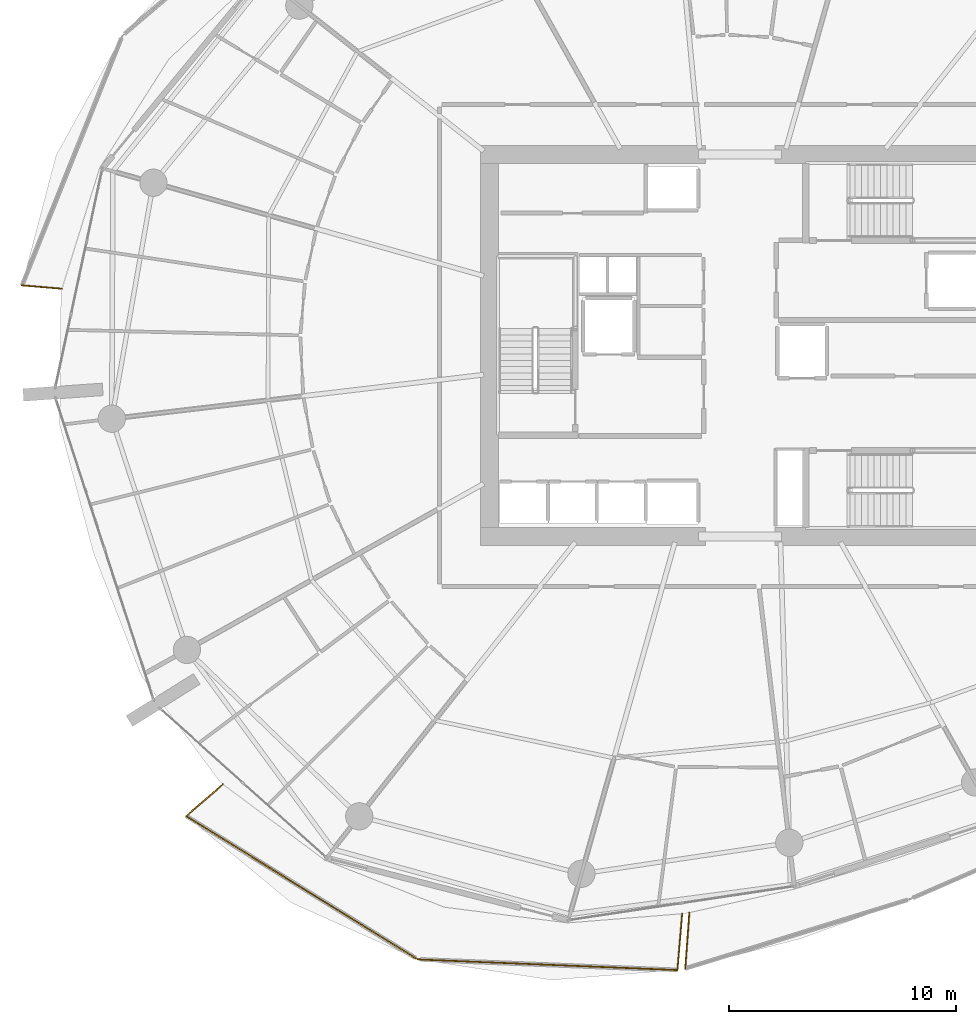
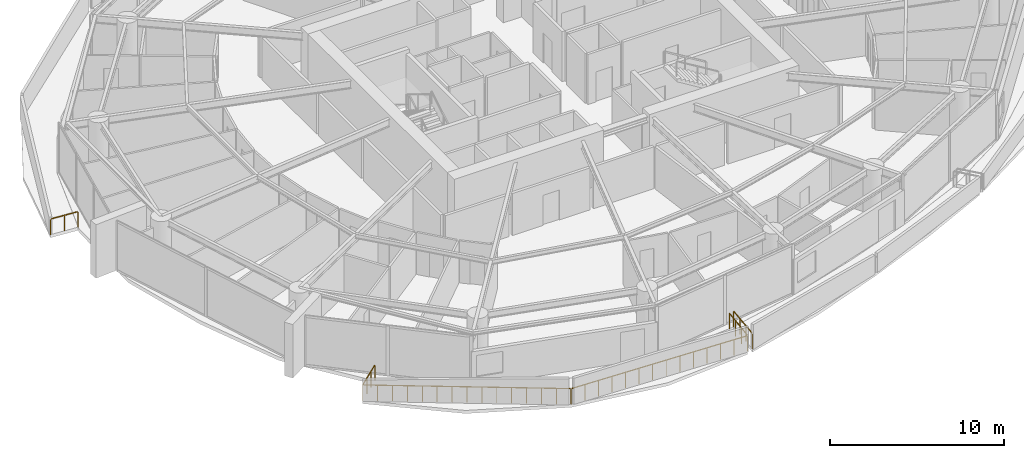
# One storey, part 17 of 23: 6 railings.
"""IFC4 building model written with IfcOpenShell, lengths in metres."""

import ifcopenshell
import ifcopenshell.guid

model = None  # the IFC model being written
_history = None  # IfcOwnerHistory: only IFC2X3 demands one
_inside = {}  # id of a spatial element -> (the spatial element, [elements in it])
_under = {}  # id of a project, library or spatial element -> (it, [spatial elements below it])
_declared = {}  # id of a project -> (the project, [libraries it declares])
_typed = {}  # id of a type object -> (the type object, [elements of that type])
_made_of = {}  # id of a material, layer set ... -> (it, [elements and type objects made of it])


def new_model(schema):
    """Start an empty IFC model of exactly this schema.

    Asked for "IFC4X3", IfcOpenShell would pick the latest addendum, in which some entities
    have other attributes; the version numbers below select the first issue.
    IFC2X3 requires an IfcOwnerHistory on every rooted entity: one is made here for all.
    """
    global model, _history
    if schema == "IFC4X3":
        model = ifcopenshell.file(schema_version=(4, 3, 0, 0))
    else:
        model = ifcopenshell.file(schema=schema)
    _inside.clear()
    _under.clear()
    _declared.clear()
    _typed.clear()
    _made_of.clear()
    _history = None
    if model.schema == "IFC2X3":
        org = make("IfcOrganization", Name="unknown")
        user = make(
            "IfcPersonAndOrganization",
            ThePerson=make("IfcPerson", FamilyName="unknown"),
            TheOrganization=org,
        )
        app = make(
            "IfcApplication",
            ApplicationDeveloper=org,
            Version="unknown",
            ApplicationFullName="unknown",
            ApplicationIdentifier="unknown",
        )
        _history = make(
            "IfcOwnerHistory",
            OwningUser=user,
            OwningApplication=app,
            ChangeAction="ADDED",
            CreationDate=0,
        )
    return model


def make(cls, **values):
    """One entity of the class cls with the attributes given. An attribute that is None is left unset."""
    return model.create_entity(
        cls, **{name: value for name, value in values.items() if value is not None}
    )


def rooted(cls, **values):
    """An entity with a GlobalId (a new one), such as an element, a storey or a relation."""
    return make(cls, GlobalId=ifcopenshell.guid.new(), OwnerHistory=_history, **values)


def si_unit(unit_type, name, prefix=None):
    """IfcSIUnit, for example si_unit("LENGTHUNIT", "METRE", prefix="MILLI")."""
    return make("IfcSIUnit", UnitType=unit_type, Prefix=prefix, Name=name)


def assignment(units):
    """IfcUnitAssignment: the units of a project."""
    return None if units is None else make("IfcUnitAssignment", Units=units)


def point(xyz):
    """IfcCartesianPoint."""
    return None if xyz is None else make("IfcCartesianPoint", Coordinates=xyz)


def direction(xyz):
    """IfcDirection."""
    return None if xyz is None else make("IfcDirection", DirectionRatios=xyz)


def frame(location, z_axis=None, x_axis=None):
    """IfcAxis2Placement3D, a coordinate frame: its origin and axes. An axis left out is left unset."""
    return make(
        "IfcAxis2Placement3D",
        Location=point(location),
        Axis=direction(z_axis),
        RefDirection=direction(x_axis),
    )


def frame_2d(location, x_axis=None):
    """IfcAxis2Placement2D, a coordinate frame in the plane: its origin and x axis."""
    return make(
        "IfcAxis2Placement2D", Location=point(location), RefDirection=direction(x_axis)
    )


def origin():
    """The frame at (0, 0, 0) with its axes left unset."""
    return frame((0.0, 0.0, 0.0))


def origin_2d():
    """The frame at (0, 0) in the plane with its x axis left unset."""
    return frame_2d((0.0, 0.0))


def place(relative_to, where):
    """IfcLocalPlacement: puts the frame where relative to a parent placement (None: the world)."""
    return make(
        "IfcLocalPlacement", PlacementRelTo=relative_to, RelativePlacement=where
    )


def context(
    kind, dimensions, precision=None, world=None, true_north=None, identifier=None
):
    """IfcGeometricRepresentationContext, for example the 3D "Model" context."""
    return make(
        "IfcGeometricRepresentationContext",
        ContextIdentifier=identifier,
        ContextType=kind,
        CoordinateSpaceDimension=dimensions,
        Precision=precision,
        WorldCoordinateSystem=world,
        TrueNorth=true_north,
    )


def subcontext(parent, identifier, kind, view, scale=None):
    """IfcGeometricRepresentationSubContext, for example "Body" below "Model"."""
    return make(
        "IfcGeometricRepresentationSubContext",
        ContextIdentifier=identifier,
        ContextType=kind,
        ParentContext=parent,
        TargetScale=scale,
        TargetView=view,
    )


def project(units=None, contexts=None):
    """IfcProject with its units and contexts."""
    return rooted(
        "IfcProject",
        Name="project",
        RepresentationContexts=contexts,
        UnitsInContext=assignment(units),
    )


def spatial(cls, under=None, at=None, **own):
    """A site, building, storey or space (cls), placed at a placement, below another one or the project."""
    s = rooted(cls, ObjectPlacement=at, **own)
    if under is not None:
        _under.setdefault(under.id(), (under, []))[1].append(s)
    return s


def profile(cls, at=None, kind="AREA", **sizes):
    """A parametric profile (cls). Its sizes go by their IFC names, for example OverallWidth=200.0."""
    return make(cls, ProfileType=kind, Position=at, **sizes)


def rectangle(**sizes):
    """IfcRectangleProfileDef."""
    return profile("IfcRectangleProfileDef", **sizes)


def extrude(swept, where, along, depth):
    """IfcExtrudedAreaSolid: the profile swept, set in the frame where, extruded along a direction by depth."""
    return make(
        "IfcExtrudedAreaSolid",
        SweptArea=swept,
        Position=where,
        ExtrudedDirection=direction(along),
        Depth=depth,
    )


def shape(context_of_items, identifier, shape_type, items):
    """IfcShapeRepresentation: the items that make up one representation, for example the "Body"."""
    return make(
        "IfcShapeRepresentation",
        ContextOfItems=context_of_items,
        RepresentationIdentifier=identifier,
        RepresentationType=shape_type,
        Items=items,
    )


def material(Name=None, Category=None):
    """IfcMaterial."""
    return make("IfcMaterial", Name=Name, Category=Category)


def made_of(thing, what):
    """Note that an element or type object is made of a material, layer set ...; save() writes the relation."""
    if what is not None:
        _made_of.setdefault(what.id(), (what, []))[1].append(thing)
    return thing


def type_object(cls, material=None, **own):
    """A type object (cls), such as IfcWallType, which elements share."""
    return made_of(rooted(cls, **own), material)


def element(
    cls,
    number,
    at=None,
    inside=None,
    cuts=None,
    type_object=None,
    material=None,
    context=None,
    identifier="Body",
    shape_type=None,
    held_by="IfcProductDefinitionShape",
    body=None,
    shapes=None,
    **own,
):
    """One element of the class cls, such as IfcWall. Its Tag is "e" and its number.

    at: its placement. inside: the storey or other place that contains it. cuts: it is an
    opening in that element (IfcRelVoidsElement). A single representation is given by context,
    identifier, shape_type and body (its items); several are given by shapes. held_by: the class
    of the entity that holds the representations. save() writes the other relations.
    """
    e = rooted(cls, Tag="e%d" % number, ObjectPlacement=at, **own)
    if body is not None:
        shapes = [shape(context, identifier, shape_type, body)]
    if shapes is not None:
        e.Representation = make(held_by, Representations=shapes)
    if inside is not None:
        _inside.setdefault(inside.id(), (inside, []))[1].append(e)
    if cuts is not None:
        rooted(
            "IfcRelVoidsElement", RelatingBuildingElement=cuts, RelatedOpeningElement=e
        )
    if type_object is not None:
        _typed.setdefault(type_object.id(), (type_object, []))[1].append(e)
    return made_of(e, material)


def aggregate(whole, parts):
    """IfcRelAggregates: a whole, such as a stair, and the parts it consists of."""
    return rooted("IfcRelAggregates", RelatingObject=whole, RelatedObjects=parts)


def save(model, path):
    """Write the relations noted so far, then the file.

    IfcRelAggregates (storeys below a building ...), IfcRelContainedInSpatialStructure (elements
    in a storey), IfcRelDefinesByType, IfcRelAssociatesMaterial and IfcRelDeclares: one each for
    every whole, place, type object, material and project.
    """
    for whole, parts in _under.values():
        aggregate(whole, parts)
    for where, things in _inside.values():
        rooted(
            "IfcRelContainedInSpatialStructure",
            RelatedElements=things,
            RelatingStructure=where,
        )
    for kind, things in _typed.values():
        rooted("IfcRelDefinesByType", RelatedObjects=things, RelatingType=kind)
    for what, things in _made_of.values():
        rooted("IfcRelAssociatesMaterial", RelatedObjects=things, RelatingMaterial=what)
    for by, libraries in _declared.values():
        rooted("IfcRelDeclares", RelatingContext=by, RelatedDefinitions=libraries)
    model.write(path)


model = new_model("IFC4")

# Units and contexts
model_context = context("Model", 3, precision=1e-05, world=origin(), true_north=direction((0.0, 1.0)))
body_context = subcontext(model_context, "Body", "Model", "MODEL_VIEW")
ifc_project = project(units=[si_unit("LENGTHUNIT", "METRE"), si_unit("AREAUNIT", "SQUARE_METRE"), si_unit("VOLUMEUNIT", "CUBIC_METRE"), si_unit("PLANEANGLEUNIT", "RADIAN"), si_unit("MASSUNIT", "GRAM", prefix="KILO")], contexts=[model_context])

# Site, building, storey
site_placement = place(None, origin())
site = spatial("IfcSite", under=ifc_project, at=site_placement, CompositionType="ELEMENT")
building_placement = place(site_placement, origin())
building = spatial("IfcBuilding", under=site, at=building_placement, Name="Kazma Halo Residences", CompositionType="ELEMENT")
storey_placement = place(building_placement, frame((0.0, 0.0, 82.64990234375)))
storey = spatial("IfcBuildingStorey", under=building, at=storey_placement, Name="L20", CompositionType="ELEMENT", Elevation=82.64990234375)

# Railings
ifc_material = material(Name="Aluminium AW-6063 T6 Brushed Cap Rail", Category="aluminium")
railing_type = type_object("IfcRailingType", Name="RLG-BAL-CAP-1120", PredefinedType="BALUSTRADE", material=ifc_material)
railing_1_placement = place(storey_placement, frame((16.84033203125, 44.643798828125, 0.0)))
element("IfcRailing", 1, at=railing_1_placement, inside=storey, type_object=railing_type, Name="L20 NW wave balcony guard 4", PredefinedType="BALUSTRADE", context=body_context, shape_type="SweptSolid", body=[
    extrude(rectangle(XDim=0.050048828125, YDim=0.050048828125, at=origin_2d()), frame((0.04248046875, -0.003662109375, 1.09521484375), z_axis=(0.996422166926, -0.08451547349, 0.0), x_axis=(0.08451547349, 0.996422166926, 0.0)), (0.0, 0.0, 1.0), 1.674072265625),
    extrude(rectangle(XDim=0.0400390625, YDim=0.0400390625, at=origin_2d()), origin(), (0.0, 0.0, 1.0), 1.05810546875),
    extrude(rectangle(XDim=0.0400390625, YDim=0.0400390625, at=origin_2d()), frame((0.87646484375, -0.07421875, 0.0)), (0.0, 0.0, 1.0), 1.05810546875),
    extrude(rectangle(XDim=0.0400390625, YDim=0.0400390625, at=origin_2d()), frame((1.7529296875, -0.148681640625, 0.0)), (0.0, 0.0, 1.0), 1.05810546875),
])
railing_2_placement = place(storey_placement, frame((25.676025390625, 22.696533203125, 0.0)))
element("IfcRailing", 2, at=railing_2_placement, inside=storey, type_object=railing_type, Name="L20 SW wave balcony guard 1", PredefinedType="BALUSTRADE", context=body_context, shape_type="SweptSolid", body=[
    extrude(rectangle(XDim=0.050048828125, YDim=0.050048828125, at=origin_2d()), frame((-0.0322265625, -0.02783203125, 1.09521484375), z_axis=(-0.756384633823, -0.654127117399, 0.0), x_axis=(0.654127117399, -0.756384633823, 0.0)), (0.0, 0.0, 1.0), 2.044677734375),
    extrude(rectangle(XDim=0.0400390625, YDim=0.0400390625, at=origin_2d()), origin(), (0.0, 0.0, 1.0), 1.05810546875),
    extrude(rectangle(XDim=0.0400390625, YDim=0.0400390625, at=origin_2d()), frame((-0.536865234375, -0.46435546875, 0.0)), (0.0, 0.0, 1.0), 1.05810546875),
    extrude(rectangle(XDim=0.0400390625, YDim=0.0400390625, at=origin_2d()), frame((-1.073974609375, -0.9287109375, 0.0)), (0.0, 0.0, 1.0), 1.05810546875),
    extrude(rectangle(XDim=0.0400390625, YDim=0.0400390625, at=origin_2d()), frame((-1.61083984375, -1.39306640625, 0.0)), (0.0, 0.0, 1.0), 1.05810546875),
])
railing_3_placement = place(storey_placement, frame((24.065185546875, 21.303466796875, 0.0)))
element("IfcRailing", 3, at=railing_3_placement, inside=storey, type_object=railing_type, Name="L20 SW wave balcony guard 2", PredefinedType="BALUSTRADE", context=body_context, shape_type="SweptSolid", body=[
    extrude(rectangle(XDim=0.050048828125, YDim=0.050048828125, at=origin_2d()), frame((0.0361328125, -0.0224609375, 1.09521484375), z_axis=(0.850139519216, -0.526557497209, 0.0), x_axis=(0.526557497209, 0.850139519216, 0.0)), (0.0, 0.0, 1.0), 11.886474609375),
    extrude(rectangle(XDim=0.0400390625, YDim=0.0400390625, at=origin_2d()), origin(), (0.0, 0.0, 1.0), 1.05810546875),
    extrude(rectangle(XDim=0.0400390625, YDim=0.0400390625, at=origin_2d()), frame((0.72705078125, -0.4501953125, 0.0)), (0.0, 0.0, 1.0), 1.05810546875),
    extrude(rectangle(XDim=0.0400390625, YDim=0.0400390625, at=origin_2d()), frame((1.453857421875, -0.900634765625, 0.0)), (0.0, 0.0, 1.0), 1.05810546875),
    extrude(rectangle(XDim=0.0400390625, YDim=0.0400390625, at=origin_2d()), frame((2.180908203125, -1.350830078125, 0.0)), (0.0, 0.0, 1.0), 1.05810546875),
    extrude(rectangle(XDim=0.0400390625, YDim=0.0400390625, at=origin_2d()), frame((2.907958984375, -1.801025390625, 0.0)), (0.0, 0.0, 1.0), 1.05810546875),
    extrude(rectangle(XDim=0.0400390625, YDim=0.0400390625, at=origin_2d()), frame((3.634765625, -2.251220703125, 0.0)), (0.0, 0.0, 1.0), 1.05810546875),
    extrude(rectangle(XDim=0.0400390625, YDim=0.0400390625, at=origin_2d()), frame((4.36181640625, -2.70166015625, 0.0)), (0.0, 0.0, 1.0), 1.05810546875),
    extrude(rectangle(XDim=0.0400390625, YDim=0.0400390625, at=origin_2d()), frame((5.0888671875, -3.15185546875, 0.0)), (0.0, 0.0, 1.0), 1.05810546875),
    extrude(rectangle(XDim=0.0400390625, YDim=0.0400390625, at=origin_2d()), frame((5.815673828125, -3.60205078125, 0.0)), (0.0, 0.0, 1.0), 1.05810546875),
    extrude(rectangle(XDim=0.0400390625, YDim=0.0400390625, at=origin_2d()), frame((6.542724609375, -4.052490234375, 0.0)), (0.0, 0.0, 1.0), 1.05810546875),
    extrude(rectangle(XDim=0.0400390625, YDim=0.0400390625, at=origin_2d()), frame((7.26953125, -4.502685546875, 0.0)), (0.0, 0.0, 1.0), 1.05810546875),
    extrude(rectangle(XDim=0.0400390625, YDim=0.0400390625, at=origin_2d()), frame((7.99658203125, -4.952880859375, 0.0)), (0.0, 0.0, 1.0), 1.05810546875),
    extrude(rectangle(XDim=0.0400390625, YDim=0.0400390625, at=origin_2d()), frame((8.7236328125, -5.403076171875, 0.0)), (0.0, 0.0, 1.0), 1.05810546875),
    extrude(rectangle(XDim=0.0400390625, YDim=0.0400390625, at=origin_2d()), frame((9.450439453125, -5.853515625, 0.0)), (0.0, 0.0, 1.0), 1.05810546875),
    extrude(rectangle(XDim=0.0400390625, YDim=0.0400390625, at=origin_2d()), frame((10.177490234375, -6.3037109375, 0.0)), (0.0, 0.0, 1.0), 1.05810546875),
])
railing_4_placement = place(storey_placement, frame((34.24267578125, 14.999755859375, 0.0)))
element("IfcRailing", 4, at=railing_4_placement, inside=storey, type_object=railing_type, Name="L20 SW wave balcony guard 3", PredefinedType="BALUSTRADE", context=body_context, shape_type="SweptSolid", body=[
    extrude(rectangle(XDim=0.050048828125, YDim=0.050048828125, at=origin_2d()), frame((0.04248046875, -0.001708984375, 1.09521484375), z_axis=(0.99916398264, -0.040881973949, 0.0), x_axis=(0.040881973949, 0.99916398264, 0.0)), (0.0, 0.0, 1.0), 11.35107421875),
    extrude(rectangle(XDim=0.0400390625, YDim=0.0400390625, at=origin_2d()), origin(), (0.0, 0.0, 1.0), 1.05810546875),
    extrude(rectangle(XDim=0.0400390625, YDim=0.0400390625, at=origin_2d()), frame((0.87890625, -0.035888671875, 0.0)), (0.0, 0.0, 1.0), 1.05810546875),
    extrude(rectangle(XDim=0.0400390625, YDim=0.0400390625, at=origin_2d()), frame((1.7578125, -0.072021484375, 0.0)), (0.0, 0.0, 1.0), 1.05810546875),
    extrude(rectangle(XDim=0.0400390625, YDim=0.0400390625, at=origin_2d()), frame((2.636962890625, -0.10791015625, 0.0)), (0.0, 0.0, 1.0), 1.05810546875),
    extrude(rectangle(XDim=0.0400390625, YDim=0.0400390625, at=origin_2d()), frame((3.515869140625, -0.143798828125, 0.0)), (0.0, 0.0, 1.0), 1.05810546875),
    extrude(rectangle(XDim=0.0400390625, YDim=0.0400390625, at=origin_2d()), frame((4.394775390625, -0.179931640625, 0.0)), (0.0, 0.0, 1.0), 1.05810546875),
    extrude(rectangle(XDim=0.0400390625, YDim=0.0400390625, at=origin_2d()), frame((5.273681640625, -0.2158203125, 0.0)), (0.0, 0.0, 1.0), 1.05810546875),
    extrude(rectangle(XDim=0.0400390625, YDim=0.0400390625, at=origin_2d()), frame((6.15283203125, -0.251708984375, 0.0)), (0.0, 0.0, 1.0), 1.05810546875),
    extrude(rectangle(XDim=0.0400390625, YDim=0.0400390625, at=origin_2d()), frame((7.03173828125, -0.28759765625, 0.0)), (0.0, 0.0, 1.0), 1.05810546875),
    extrude(rectangle(XDim=0.0400390625, YDim=0.0400390625, at=origin_2d()), frame((7.91064453125, -0.32373046875, 0.0)), (0.0, 0.0, 1.0), 1.05810546875),
    extrude(rectangle(XDim=0.0400390625, YDim=0.0400390625, at=origin_2d()), frame((8.78955078125, -0.359619140625, 0.0)), (0.0, 0.0, 1.0), 1.05810546875),
    extrude(rectangle(XDim=0.0400390625, YDim=0.0400390625, at=origin_2d()), frame((9.668701171875, -0.3955078125, 0.0)), (0.0, 0.0, 1.0), 1.05810546875),
    extrude(rectangle(XDim=0.0400390625, YDim=0.0400390625, at=origin_2d()), frame((10.547607421875, -0.431640625, 0.0)), (0.0, 0.0, 1.0), 1.05810546875),
    extrude(rectangle(XDim=0.0400390625, YDim=0.0400390625, at=origin_2d()), frame((11.426513671875, -0.467529296875, 0.0)), (0.0, 0.0, 1.0), 1.05810546875),
])
railing_5_placement = place(storey_placement, frame((45.669189453125, 14.5322265625, 0.0)))
element("IfcRailing", 5, at=railing_5_placement, inside=storey, type_object=railing_type, Name="L20 SW wave balcony guard 4", PredefinedType="BALUSTRADE", context=body_context, shape_type="SweptSolid", body=[
    extrude(rectangle(XDim=0.050048828125, YDim=0.050048828125, at=origin_2d()), frame((0.003662109375, 0.04248046875, 1.09521484375), z_axis=(0.084615071296, 0.996413714132, 0.0), x_axis=(-0.996413714132, 0.084615071296, 0.0)), (0.0, 0.0, 1.0), 2.399169921875),
    extrude(rectangle(XDim=0.0400390625, YDim=0.0400390625, at=origin_2d()), origin(), (0.0, 0.0, 1.0), 1.05810546875),
    extrude(rectangle(XDim=0.0400390625, YDim=0.0400390625, at=origin_2d()), frame((0.070068359375, 0.8251953125, 0.0)), (0.0, 0.0, 1.0), 1.05810546875),
    extrude(rectangle(XDim=0.0400390625, YDim=0.0400390625, at=origin_2d()), frame((0.14013671875, 1.650146484375, 0.0)), (0.0, 0.0, 1.0), 1.05810546875),
    extrude(rectangle(XDim=0.0400390625, YDim=0.0400390625, at=origin_2d()), frame((0.210205078125, 2.475341796875, 0.0)), (0.0, 0.0, 1.0), 1.05810546875),
])
railing_6_placement = place(storey_placement, frame((46.18994140625, 17.05419921875, 0.0)))
element("IfcRailing", 6, at=railing_6_placement, inside=storey, type_object=railing_type, Name="L20 SSE wave balcony guard 1", PredefinedType="BALUSTRADE", context=body_context, shape_type="SweptSolid", body=[
    extrude(rectangle(XDim=0.050048828125, YDim=0.050048828125, at=origin_2d()), frame((-0.003173828125, -0.04248046875, 1.09521484375), z_axis=(-0.072365602414, -0.997378172805, 0.0), x_axis=(0.997378172805, -0.072365602414, 0.0)), (0.0, 0.0, 1.0), 2.381103515625),
    extrude(rectangle(XDim=0.0400390625, YDim=0.0400390625, at=origin_2d()), origin(), (0.0, 0.0, 1.0), 1.05810546875),
    extrude(rectangle(XDim=0.0400390625, YDim=0.0400390625, at=origin_2d()), frame((-0.0595703125, -0.81982421875, 0.0)), (0.0, 0.0, 1.0), 1.05810546875),
    extrude(rectangle(XDim=0.0400390625, YDim=0.0400390625, at=origin_2d()), frame((-0.118896484375, -1.639892578125, 0.0)), (0.0, 0.0, 1.0), 1.05810546875),
    extrude(rectangle(XDim=0.0400390625, YDim=0.0400390625, at=origin_2d()), frame((-0.178466796875, -2.459716796875, 0.0)), (0.0, 0.0, 1.0), 1.05810546875),
])

save(model, "model.ifc")
